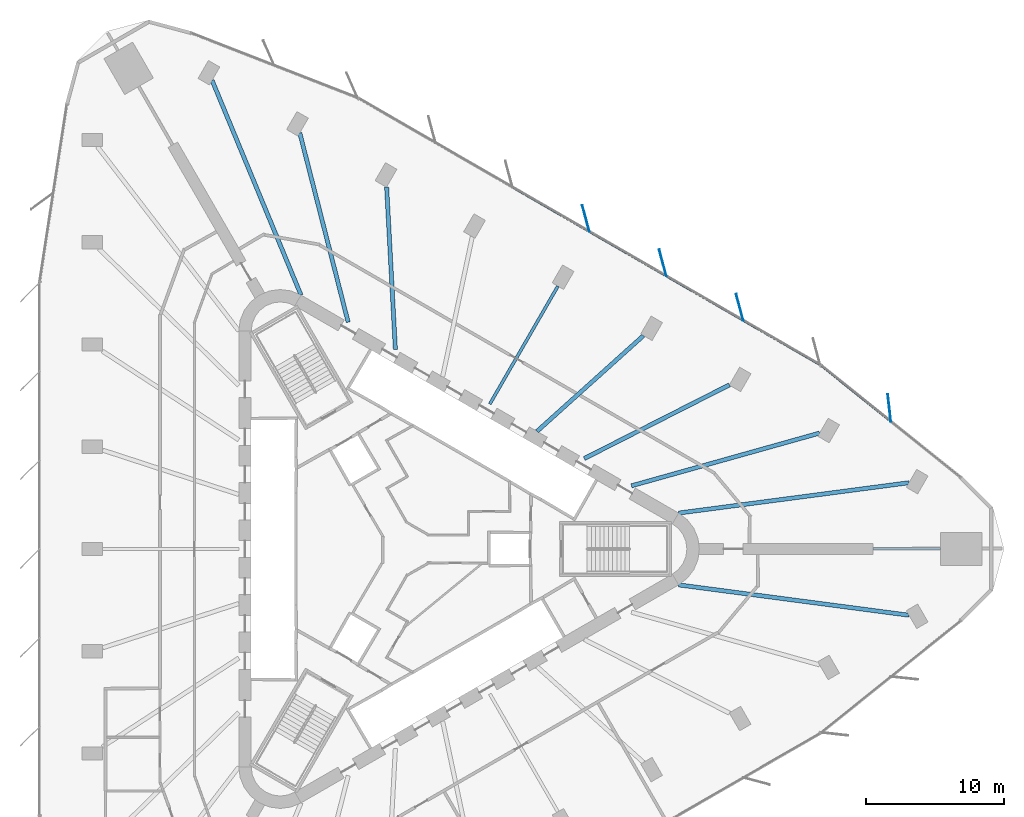
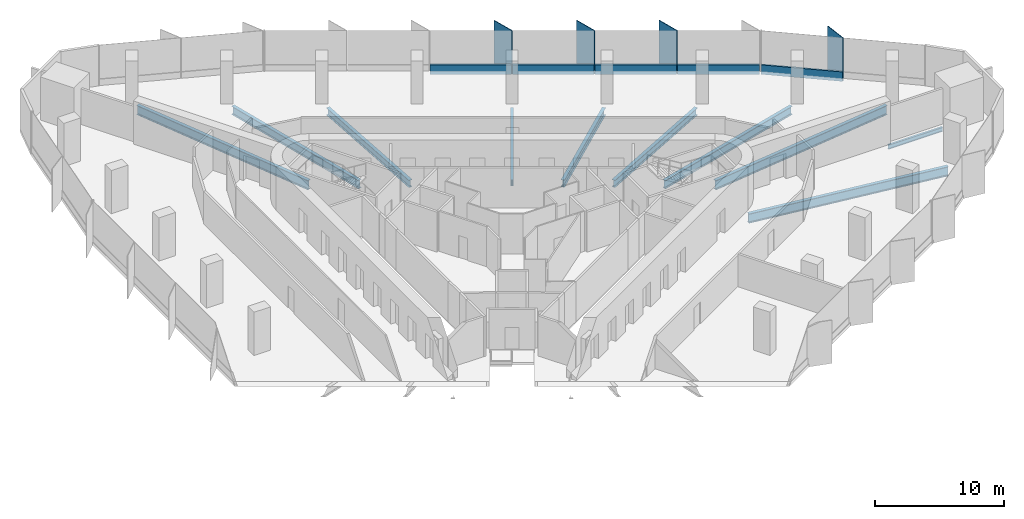
# One storey, part 5 of 15: 10 beams, 9 members, 2 elements without a shape of their own.
"""IFC4 building model written with IfcOpenShell, lengths in metres."""

from ifc_helpers import new_model, si_unit, direction, frame, origin, origin_2d, place, context, subcontext, project, spatial, rectangle, i_section, extrude, material, material_profile, profile_set, type_object, element, aggregate, save


model = new_model("IFC4")

# Units and contexts
model_context = context("Model", 3, precision=1e-05, world=origin(), true_north=direction((0.0, 1.0)))
body_context = subcontext(model_context, "Body", "Model", "MODEL_VIEW")
ifc_project = project(units=[si_unit("LENGTHUNIT", "METRE"), si_unit("AREAUNIT", "SQUARE_METRE"), si_unit("VOLUMEUNIT", "CUBIC_METRE"), si_unit("PLANEANGLEUNIT", "RADIAN"), si_unit("MASSUNIT", "GRAM", prefix="KILO")], contexts=[model_context])

# Site, building, storey
site_placement = place(None, origin())
site = spatial("IfcSite", under=ifc_project, at=site_placement, CompositionType="ELEMENT")
building_placement = place(site_placement, origin())
building = spatial("IfcBuilding", under=site, at=building_placement, Name="Tanit Gate Tower", CompositionType="ELEMENT")
storey_placement = place(building_placement, frame((0.0, 0.0, 135.699951171875)))
storey = spatial("IfcBuildingStorey", under=building, at=storey_placement, Name="L29", CompositionType="ELEMENT", Elevation=135.699951171875)

# Curtain wall, member
ifc_material_1 = material(Name="Aluminium bronze anodised and glass", Category="aluminium")
curtain_wall_type = type_object("IfcCurtainWallType", Name="Curtain wall typical low", PredefinedType="NOTDEFINED", material=ifc_material_1)
curtain_wall_1_placement = place(storey_placement, origin())
curtain_wall_1 = element("IfcCurtainWall", 1, at=curtain_wall_1_placement, inside=storey, type_object=curtain_wall_type, Name="Curtain wall L29 NE1", PredefinedType="NOTDEFINED")
ifc_material_2 = material(Name="Aluminium bronze anodised", Category="aluminium")
ifc_material_profile_1 = material_profile(ifc_material_2, rectangle(XDim=2.0, YDim=0.055908203125, at=origin_2d()), Name="56x2000 bronze fin mullion")
ifc_profile_set_1 = profile_set([ifc_material_profile_1], Name="Aluminium bronze anodised")
member_type_1 = type_object("IfcMemberType", Name="FIN MULLION 56x2000 bronze", PredefinedType="MULLION", material=ifc_profile_set_1)
member_1_placement = place(storey_placement, frame((34.93798828125, 10.1962890625, -0.300048828125), z_axis=(0.0, 0.0, 1.0), x_axis=(0.109185281968, -0.994021415364, 0.0)))
member_1 = element("IfcMember", 2, at=member_1_placement, type_object=member_type_1, Name="Fin mullion L29 NE1.2", PredefinedType="MULLION", context=body_context, shape_type="SweptSolid", body=[
    extrude(rectangle(XDim=2.0, YDim=0.055908203125, at=origin_2d()), origin(), (0.0, 0.0, 1.0), 4.10009765625),
])

# Curtain wall, members
curtain_wall_2_placement = place(storey_placement, origin())
curtain_wall_2 = element("IfcCurtainWall", 3, at=curtain_wall_2_placement, inside=storey, type_object=curtain_wall_type, Name="Curtain wall L29 NE2", PredefinedType="NOTDEFINED")
member_2_placement = place(storey_placement, frame((24.120361328125, 17.47119140625, -0.300048828125), z_axis=(0.0, 0.0, 1.0), x_axis=(0.25875206837, -0.965943770162, 0.0)))
member_2 = element("IfcMember", 4, at=member_2_placement, type_object=member_type_1, Name="Fin mullion L29 NE2.2", PredefinedType="MULLION", context=body_context, shape_type="SweptSolid", body=[
    extrude(rectangle(XDim=2.0, YDim=0.055908203125, at=origin_2d()), origin(), (0.0, 0.0, 1.0), 4.10009765625),
])
member_3_placement = place(storey_placement, frame((18.558837890625, 20.6826171875, -0.300048828125), z_axis=(0.0, 0.0, 1.0), x_axis=(0.25875206837, -0.965943770162, 0.0)))
member_3 = element("IfcMember", 5, at=member_3_placement, type_object=member_type_1, Name="Fin mullion L29 NE2.3", PredefinedType="MULLION", context=body_context, shape_type="SweptSolid", body=[
    extrude(rectangle(XDim=2.0, YDim=0.055908203125, at=origin_2d()), origin(), (0.0, 0.0, 1.0), 4.10009765625),
])
member_4_placement = place(storey_placement, frame((12.997314453125, 23.89404296875, -0.300048828125), z_axis=(0.0, 0.0, 1.0), x_axis=(0.25875206837, -0.965943770162, 0.0)))
member_4 = element("IfcMember", 6, at=member_4_placement, type_object=member_type_1, Name="Fin mullion L29 NE2.4", PredefinedType="MULLION", context=body_context, shape_type="SweptSolid", body=[
    extrude(rectangle(XDim=2.0, YDim=0.055908203125, at=origin_2d()), origin(), (0.0, 0.0, 1.0), 4.10009765625),
])

# Beams
ifc_material_3 = material(Name="Steel S355", Category="steel")
ifc_material_profile_2 = material_profile(ifc_material_3, i_section(OverallWidth=0.300048828125, OverallDepth=0.68994140625, WebThickness=0.014404296875, FlangeThickness=0.027099609375, FilletRadius=0.027099609375, at=origin_2d()), Name="HEA 700")
ifc_profile_set_2 = profile_set([ifc_material_profile_2], Name="Steel S355")
beam_type_1 = type_object("IfcBeamType", Name="RADIAL GIRDER HEA 700 S355", PredefinedType="BEAM", material=ifc_profile_set_2)
beam_1_placement = place(storey_placement, frame((23.3720703125, 11.865966796875, -0.64501953125), z_axis=(-0.891663548412, -0.452698703813, 0.0), x_axis=(0.452698703813, -0.891663548412, 0.0)))
element("IfcBeam", 7, at=beam_1_placement, inside=storey, type_object=beam_type_1, Name="RADIAL GIRDER", PredefinedType="BEAM", context=body_context, shape_type="SweptSolid", body=[
    extrude(i_section(OverallWidth=0.300048828125, OverallDepth=0.68994140625, WebThickness=0.014404296875, FlangeThickness=0.027099609375, FilletRadius=0.027099609375, at=origin_2d()), origin(), (0.0, 0.0, 1.0), 11.76806640625),
])
beam_2_placement = place(storey_placement, frame((17.16015625, 15.427978515625, -0.64501953125), z_axis=(-0.743635434567, -0.668585327731, 0.0), x_axis=(0.668585327731, -0.743635434567, 0.0)))
element("IfcBeam", 8, at=beam_2_placement, inside=storey, type_object=beam_type_1, Name="RADIAL GIRDER", PredefinedType="BEAM", context=body_context, shape_type="SweptSolid", body=[
    extrude(i_section(OverallWidth=0.300048828125, OverallDepth=0.68994140625, WebThickness=0.014404296875, FlangeThickness=0.027099609375, FilletRadius=0.027099609375, at=origin_2d()), origin(), (0.0, 0.0, 1.0), 10.347900390625),
])
beam_3_placement = place(storey_placement, frame((-1.409912109375, 26.173828125, -0.64501953125), z_axis=(0.053793562389, -0.998552078084, 0.0), x_axis=(0.998552078084, 0.053793562389, 0.0)))
element("IfcBeam", 9, at=beam_3_placement, inside=storey, type_object=beam_type_1, Name="RADIAL GIRDER", PredefinedType="BEAM", context=body_context, shape_type="SweptSolid", body=[
    extrude(i_section(OverallWidth=0.300048828125, OverallDepth=0.68994140625, WebThickness=0.014404296875, FlangeThickness=0.027099609375, FilletRadius=0.027099609375, at=origin_2d()), origin(), (0.0, 0.0, 1.0), 11.768310546875),
])
ifc_material_4 = material(Name="Steel S355", Category="steel")
ifc_material_profile_3 = material_profile(ifc_material_4, i_section(OverallWidth=0.300048828125, OverallDepth=0.7900390625, WebThickness=0.014892578125, FlangeThickness=0.028076171875, FilletRadius=0.030029296875, at=origin_2d()), Name="HEA 800")
ifc_profile_set_3 = profile_set([ifc_material_profile_3], Name="Steel S355")
beam_type_2 = type_object("IfcBeamType", Name="RADIAL GIRDER HEA 800 S355", PredefinedType="BEAM", material=ifc_profile_set_3)
for number, where, z_axis, x_axis, name in (
    (10, (29.894775390625, 8.380615234375, -0.695068359375), (-0.962877094129, -0.269940181523, 0.0), (0.269940181523, -0.962877094129, 0.0), "RADIAL GIRDER"),
    (11, (-7.689697265625, 30.079833984375, -0.695068359375), (0.247680464788, -0.968841776227, 0.0), (0.968841776227, 0.247680464788, 0.0), "RADIAL GIRDER"),
):
    element("IfcBeam", number, at=place(storey_placement, frame(where, z_axis=z_axis, x_axis=x_axis)), inside=storey, type_object=beam_type_2, Name=name, PredefinedType="BEAM", context=body_context, shape_type="SweptSolid", body=[
        extrude(i_section(OverallWidth=0.300048828125, OverallDepth=0.7900390625, WebThickness=0.014892578125, FlangeThickness=0.028076171875, FilletRadius=0.030029296875, at=origin_2d()), origin(), (0.0, 0.0, 1.0), 14.126220703125),
    ])
ifc_material_5 = material(Name="Steel S355", Category="steel")
ifc_material_profile_4 = material_profile(ifc_material_5, i_section(OverallWidth=0.300048828125, OverallDepth=0.889892578125, WebThickness=0.01611328125, FlangeThickness=0.030029296875, FilletRadius=0.030029296875, at=origin_2d()), Name="HEA 900")
ifc_profile_set_4 = profile_set([ifc_material_profile_4], Name="Steel S355")
beam_type_3 = type_object("IfcBeamType", Name="RADIAL GIRDER HEA 900 S355", PredefinedType="BEAM", material=ifc_profile_set_4)
for number, where, z_axis, x_axis, name in (
    (12, (36.356689453125, -4.790283203125, -0.744873046875), (-0.991429984953, 0.130639140137, 0.0), (-0.130639140137, -0.991429984953, 0.0), "RADIAL GIRDER"),
    (13, (36.356689453125, 4.790283203125, -0.744873046875), (-0.991429984953, -0.130639140137, 0.0), (0.130639140137, -0.991429984953, 0.0), "RADIAL GIRDER"),
):
    element("IfcBeam", number, at=place(storey_placement, frame(where, z_axis=z_axis, x_axis=x_axis)), inside=storey, type_object=beam_type_3, Name=name, PredefinedType="BEAM", context=body_context, shape_type="SweptSolid", body=[
        extrude(i_section(OverallWidth=0.300048828125, OverallDepth=0.889892578125, WebThickness=0.01611328125, FlangeThickness=0.030029296875, FilletRadius=0.030029296875, at=origin_2d()), origin(), (0.0, 0.0, 1.0), 16.795166015625),
    ])
beam_4_placement = place(storey_placement, frame((-14.030029296875, 33.880859375, -0.744873046875), z_axis=(0.382589309945, -0.923918513677, 0.0), x_axis=(0.923918513677, 0.382589309945, 0.0)))
element("IfcBeam", 14, at=beam_4_placement, inside=storey, type_object=beam_type_3, Name="RADIAL GIRDER", PredefinedType="BEAM", context=body_context, shape_type="SweptSolid", body=[
    extrude(i_section(OverallWidth=0.300048828125, OverallDepth=0.889892578125, WebThickness=0.01611328125, FlangeThickness=0.030029296875, FilletRadius=0.030029296875, at=origin_2d()), origin(), (0.0, 0.0, 1.0), 16.794921875),
])
ifc_material_6 = material(Name="Steel S355", Category="steel")
ifc_material_profile_5 = material_profile(ifc_material_6, i_section(OverallWidth=0.179931640625, OverallDepth=0.39990234375, WebThickness=0.008544921875, FlangeThickness=0.013427734375, FilletRadius=0.02099609375, at=origin_2d()), Name="IPE 400")
ifc_profile_set_5 = profile_set([ifc_material_profile_5], Name="Steel S355")
beam_type_4 = type_object("IfcBeamType", Name="RADIAL GIRDER IPE 400 S355", PredefinedType="BEAM", material=ifc_profile_set_5)
beam_5_placement = place(storey_placement, frame((38.627685546875, 0.0, -0.5), z_axis=(-1.0, 0.0, 0.0), x_axis=(0.0, -1.0, 0.0)))
element("IfcBeam", 15, at=beam_5_placement, inside=storey, type_object=beam_type_4, Name="RADIAL GIRDER", PredefinedType="BEAM", context=body_context, shape_type="SweptSolid", body=[
    extrude(i_section(OverallWidth=0.179931640625, OverallDepth=0.39990234375, WebThickness=0.008544921875, FlangeThickness=0.013427734375, FilletRadius=0.02099609375, at=origin_2d()), origin(), (0.0, 0.0, 1.0), 4.879638671875),
])
ifc_material_7 = material(Name="Steel S355", Category="steel")
ifc_material_profile_6 = material_profile(ifc_material_7, i_section(OverallWidth=0.219970703125, OverallDepth=0.60009765625, WebThickness=0.011962890625, FlangeThickness=0.01904296875, FilletRadius=0.02392578125, at=origin_2d()), Name="IPE 600")
ifc_profile_set_6 = profile_set([ifc_material_profile_6], Name="Steel S355")
beam_type_5 = type_object("IfcBeamType", Name="RADIAL GIRDER IPE 600 S355", PredefinedType="BEAM", material=ifc_profile_set_6)
beam_6_placement = place(storey_placement, frame((10.970703125, 19.001708984375, -0.599853515625), z_axis=(-0.500005971936, -0.866021955858, 0.0), x_axis=(0.866021955858, -0.500005971936, 0.0)))
element("IfcBeam", 16, at=beam_6_placement, inside=storey, type_object=beam_type_5, Name="RADIAL GIRDER", PredefinedType="BEAM", context=body_context, shape_type="SweptSolid", body=[
    extrude(i_section(OverallWidth=0.219970703125, OverallDepth=0.60009765625, WebThickness=0.011962890625, FlangeThickness=0.01904296875, FilletRadius=0.02392578125, at=origin_2d()), origin(), (0.0, 0.0, 1.0), 9.83935546875),
])

# Member
ifc_material_8 = material(Name="Aluminium bronze anodised", Category="aluminium")
ifc_material_profile_7 = material_profile(ifc_material_8, rectangle(XDim=0.159912109375, YDim=0.89990234375, at=origin_2d()), Name="160x900 bronze transom")
ifc_profile_set_7 = profile_set([ifc_material_profile_7], Name="Aluminium bronze anodised")
member_type_2 = type_object("IfcMemberType", Name="Transom 160x900 typical low", PredefinedType="USERDEFINED", material=ifc_profile_set_7)
member_5_placement = place(storey_placement, frame((35.013671875, 9.25, 0.150146484375), z_axis=(-0.780099910246, 0.625654960849, 0.0), x_axis=(-0.625654960849, -0.780099910246, 0.0)))
member_5 = element("IfcMember", 17, at=member_5_placement, type_object=member_type_2, Name="Transom L29 NE1.2", ObjectType="TRANSOM", PredefinedType="USERDEFINED", context=body_context, shape_type="SweptSolid", body=[
    extrude(rectangle(XDim=0.159912109375, YDim=0.89990234375, at=origin_2d()), origin(), (0.0, 0.0, 1.0), 6.38623046875),
])

aggregate(curtain_wall_1, [member_1, member_5])

member_6_placement = place(storey_placement, frame((29.900146484375, 13.335693359375, 0.150146484375), z_axis=(-0.865993258402, 0.500055673304, 0.0), x_axis=(-0.500055673304, -0.865993258402, 0.0)))
member_6 = element("IfcMember", 18, at=member_6_placement, type_object=member_type_2, Name="Transom L29 NE2.1", ObjectType="TRANSOM", PredefinedType="USERDEFINED", context=body_context, shape_type="SweptSolid", body=[
    extrude(rectangle(XDim=0.159912109375, YDim=0.89990234375, at=origin_2d()), origin(), (0.0, 0.0, 1.0), 6.342041015625),
])

member_7_placement = place(storey_placement, frame((24.338623046875, 16.547119140625, 0.150146484375), z_axis=(-0.865993258402, 0.500055673304, 0.0), x_axis=(-0.500055673304, -0.865993258402, 0.0)))
member_7 = element("IfcMember", 19, at=member_7_placement, type_object=member_type_2, Name="Transom L29 NE2.2", ObjectType="TRANSOM", PredefinedType="USERDEFINED", context=body_context, shape_type="SweptSolid", body=[
    extrude(rectangle(XDim=0.159912109375, YDim=0.89990234375, at=origin_2d()), origin(), (0.0, 0.0, 1.0), 6.342041015625),
])

member_8_placement = place(storey_placement, frame((18.777099609375, 19.758544921875, 0.150146484375), z_axis=(-0.865993258402, 0.500055673304, 0.0), x_axis=(-0.500055673304, -0.865993258402, 0.0)))
member_8 = element("IfcMember", 20, at=member_8_placement, type_object=member_type_2, Name="Transom L29 NE2.3", ObjectType="TRANSOM", PredefinedType="USERDEFINED", context=body_context, shape_type="SweptSolid", body=[
    extrude(rectangle(XDim=0.159912109375, YDim=0.89990234375, at=origin_2d()), origin(), (0.0, 0.0, 1.0), 6.342041015625),
])

member_9_placement = place(storey_placement, frame((13.215576171875, 22.969970703125, 0.150146484375), z_axis=(-0.865993258402, 0.500055673304, 0.0), x_axis=(-0.500055673304, -0.865993258402, 0.0)))
member_9 = element("IfcMember", 21, at=member_9_placement, type_object=member_type_2, Name="Transom L29 NE2.4", ObjectType="TRANSOM", PredefinedType="USERDEFINED", context=body_context, shape_type="SweptSolid", body=[
    extrude(rectangle(XDim=0.159912109375, YDim=0.89990234375, at=origin_2d()), origin(), (0.0, 0.0, 1.0), 6.342041015625),
])

aggregate(curtain_wall_2, [member_2, member_3, member_4, member_6, member_7, member_8, member_9])

save(model, "model.ifc")
